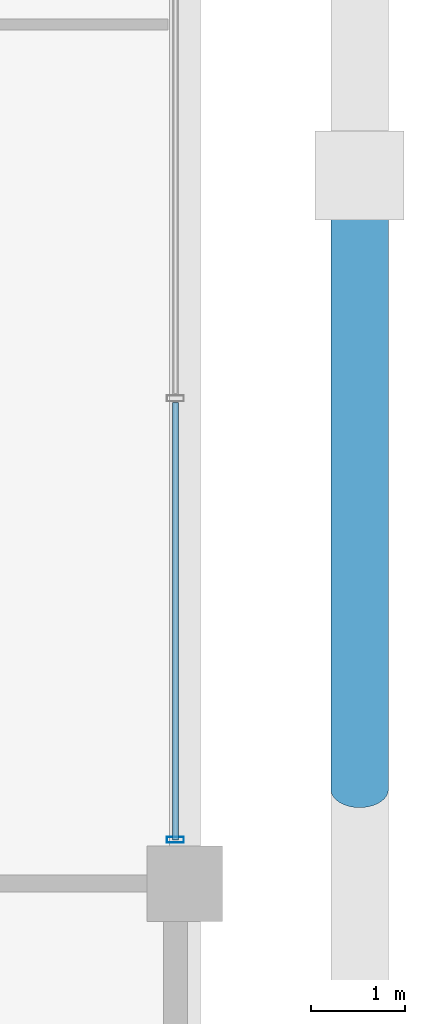
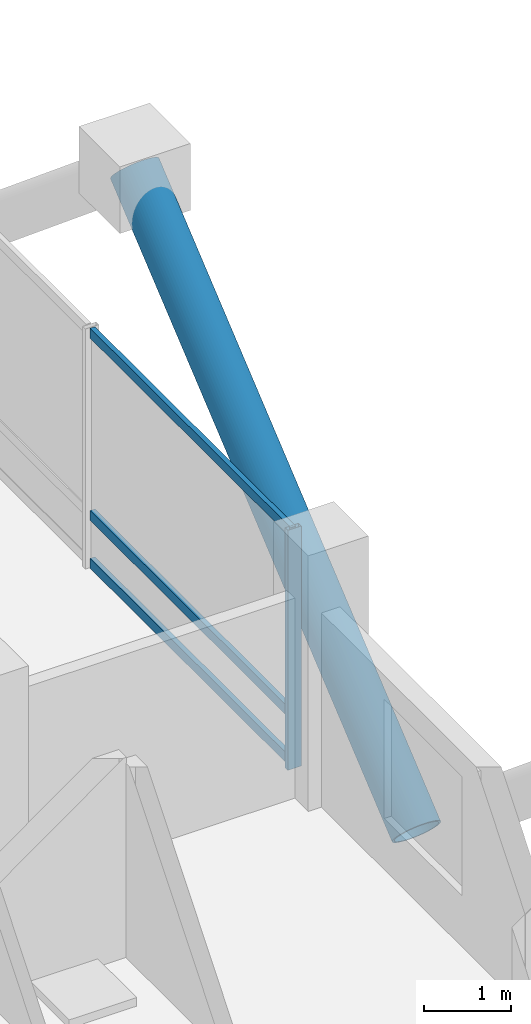
# One storey, part 8 of 24: 5 members, 1 element without a shape of its own.
"""IFC4 building model written with IfcOpenShell, lengths in metres."""

from ifc_helpers import new_model, si_unit, direction, frame, origin, origin_2d, place, context, subcontext, project, spatial, hollow_rectangle, hollow_circle, extrude, material, layer, layer_set, material_profile, profile_set, type_object, element, aggregate, save


model = new_model("IFC4")

# Units and contexts
model_context = context("Model", 3, precision=1e-05, world=origin(), true_north=direction((0.0, 1.0)))
body_context = subcontext(model_context, "Body", "Model", "MODEL_VIEW")
ifc_project = project(units=[si_unit("LENGTHUNIT", "METRE"), si_unit("AREAUNIT", "SQUARE_METRE"), si_unit("VOLUMEUNIT", "CUBIC_METRE"), si_unit("PLANEANGLEUNIT", "RADIAN"), si_unit("MASSUNIT", "GRAM", prefix="KILO")], contexts=[model_context])

# Site, building, storey
site_placement = place(None, origin())
site = spatial("IfcSite", under=ifc_project, at=site_placement, CompositionType="ELEMENT")
building_placement = place(site_placement, origin())
building = spatial("IfcBuilding", under=site, at=building_placement, Name="Barlavira Tower and Art Museum", CompositionType="ELEMENT")
storey_placement = place(building_placement, frame((0.0, 0.0, 46.800048828125)))
storey = spatial("IfcBuildingStorey", under=building, at=storey_placement, Name="L10", CompositionType="ELEMENT", Elevation=46.800048828125)

# Curtain wall, members
ifc_material_1 = material(Name="Low-iron coastal laminated glass", Category="glass")
ifc_layer = layer(ifc_material_1, 0.179931640625, Name="Low-iron coastal laminated glass")
ifc_layer_set = layer_set([ifc_layer], Name="Low-iron coastal laminated glass")
curtain_wall_type = type_object("IfcCurtainWallType", Name="Pale-Metal Unitised Curtain Wall Zone 1", PredefinedType="NOTDEFINED", material=ifc_layer_set)
curtain_wall_placement = place(storey_placement, origin())
curtain_wall = element("IfcCurtainWall", 1, at=curtain_wall_placement, inside=storey, type_object=curtain_wall_type, Name="L10 Curtain Wall CW1-L10-E-B3", PredefinedType="NOTDEFINED")
ifc_material_2 = material(Name="Pale anodised aluminium", Category="aluminium")
ifc_material_profile_1 = material_profile(ifc_material_2, hollow_rectangle(XDim=0.06494140625, YDim=0.179931640625, WallThickness=0.00390625, at=origin_2d()), Name="ALU-MULL 65x180x4")
ifc_profile_set_1 = profile_set([ifc_material_profile_1], Name="Pale anodised aluminium")
member_type_1 = type_object("IfcMemberType", Name="Curtain Wall Pale-Metal Mullion 65x180", PredefinedType="MULLION", material=ifc_profile_set_1)
member_1_placement = place(storey_placement, frame((21.89990234375, -7.034912109375, 0.0), z_axis=(0.0, 0.0, 1.0), x_axis=(0.0, 1.0, 0.0)))
member_1 = element("IfcMember", 2, at=member_1_placement, type_object=member_type_1, Name="CW1-L10-E-B3 Mullion 0", PredefinedType="MULLION", context=body_context, shape_type="SweptSolid", body=[
    extrude(hollow_rectangle(XDim=0.06494140625, YDim=0.179931640625, WallThickness=0.00390625, at=origin_2d()), origin(), (0.0, 0.0, 1.0), 3.3798828125),
])
ifc_material_profile_2 = material_profile(ifc_material_2, hollow_rectangle(XDim=0.06494140625, YDim=0.139892578125, WallThickness=0.00390625, at=origin_2d()), Name="ALU-TRAN 65x140x4")
ifc_profile_set_2 = profile_set([ifc_material_profile_2], Name="Pale anodised aluminium")
member_type_2 = type_object("IfcMemberType", Name="Curtain Wall Pale-Metal Transom 65x140", PredefinedType="USERDEFINED", material=ifc_profile_set_2)
member_2_placement = place(storey_placement, frame((21.89990234375, -7.034912109375, 0.070068359375), z_axis=(0.0, 1.0, 0.0), x_axis=(-1.0, 0.0, 0.0)))
member_2 = element("IfcMember", 3, at=member_2_placement, type_object=member_type_2, Name="CW1-L10-E-B3 Transom 0.1", ObjectType="TRANSOM", PredefinedType="USERDEFINED", context=body_context, shape_type="SweptSolid", body=[
    extrude(hollow_rectangle(XDim=0.06494140625, YDim=0.139892578125, WallThickness=0.00390625, at=origin_2d()), origin(), (0.0, 0.0, 1.0), 4.6298828125),
])
member_3_placement = place(storey_placement, frame((21.89990234375, -7.034912109375, 0.743896484375), z_axis=(0.0, 1.0, 0.0), x_axis=(-1.0, 0.0, 0.0)))
member_3 = element("IfcMember", 4, at=member_3_placement, type_object=member_type_2, Name="CW1-L10-E-B3 Transom 0.2", ObjectType="TRANSOM", PredefinedType="USERDEFINED", context=body_context, shape_type="SweptSolid", body=[
    extrude(hollow_rectangle(XDim=0.06494140625, YDim=0.139892578125, WallThickness=0.00390625, at=origin_2d()), origin(), (0.0, 0.0, 1.0), 4.6298828125),
])
member_4_placement = place(storey_placement, frame((21.89990234375, -7.034912109375, 3.31005859375), z_axis=(0.0, 1.0, 0.0), x_axis=(-1.0, 0.0, 0.0)))
member_4 = element("IfcMember", 5, at=member_4_placement, type_object=member_type_2, Name="CW1-L10-E-B3 Transom 0.3", ObjectType="TRANSOM", PredefinedType="USERDEFINED", context=body_context, shape_type="SweptSolid", body=[
    extrude(hollow_rectangle(XDim=0.06494140625, YDim=0.139892578125, WallThickness=0.00390625, at=origin_2d()), origin(), (0.0, 0.0, 1.0), 4.6298828125),
])
aggregate(curtain_wall, [member_1, member_2, member_3, member_4])

# Member
ifc_material_3 = material(Name="Steel S355", Category="steel")
ifc_material_profile_3 = material_profile(ifc_material_3, hollow_circle(Radius=0.304931640625, WallThickness=0.028076171875, at=origin_2d()), Name="CHS 610.0x28.0")
ifc_profile_set_3 = profile_set([ifc_material_profile_3], Name="Steel S355")
member_type_3 = type_object("IfcMemberType", Name="Pale-Metal Exoskeleton Diagrid Tube CHS 610x28 Steel S355", PredefinedType="BRACE", material=ifc_profile_set_3)
member_5_placement = place(storey_placement, frame((23.85009765625, -6.5, -1.920166015625), z_axis=(0.0, 0.76918185268, 0.639029950399), x_axis=(-1.0, 0.0, 0.0)))
element("IfcMember", 6, at=member_5_placement, inside=storey, type_object=member_type_3, Name="L10 Exoskeleton Diagrid Tube E", PredefinedType="BRACE", context=body_context, shape_type="SweptSolid", body=[
    extrude(hollow_circle(Radius=0.304931640625, WallThickness=0.028076171875, at=origin_2d()), origin(), (0.0, 0.0, 1.0), 8.450439453125),
])

save(model, "model.ifc")
